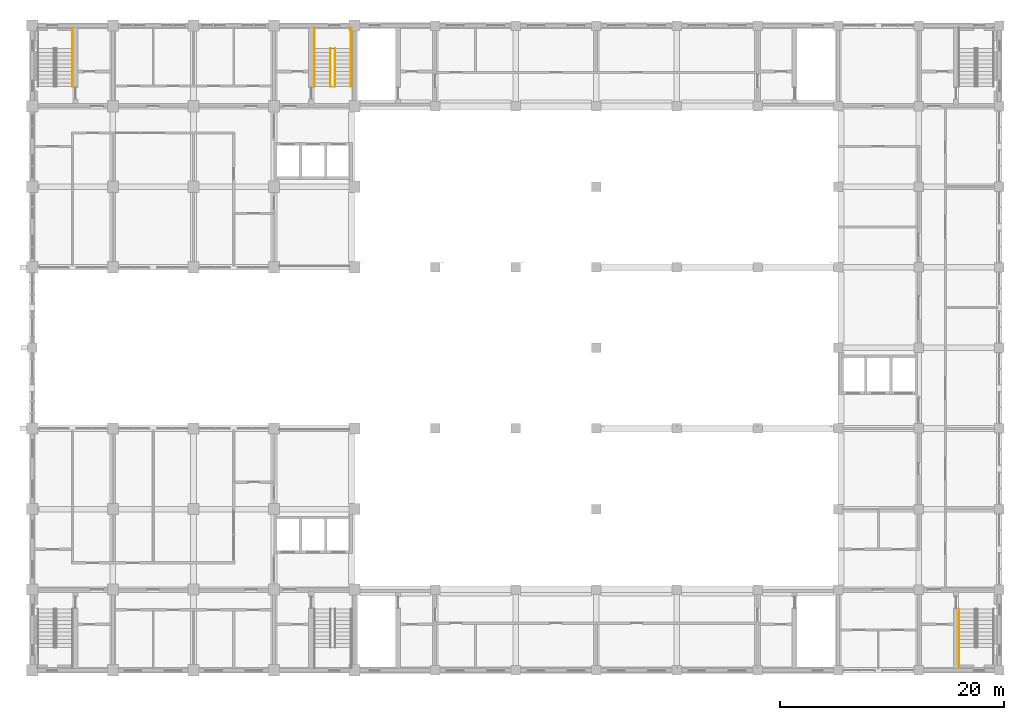
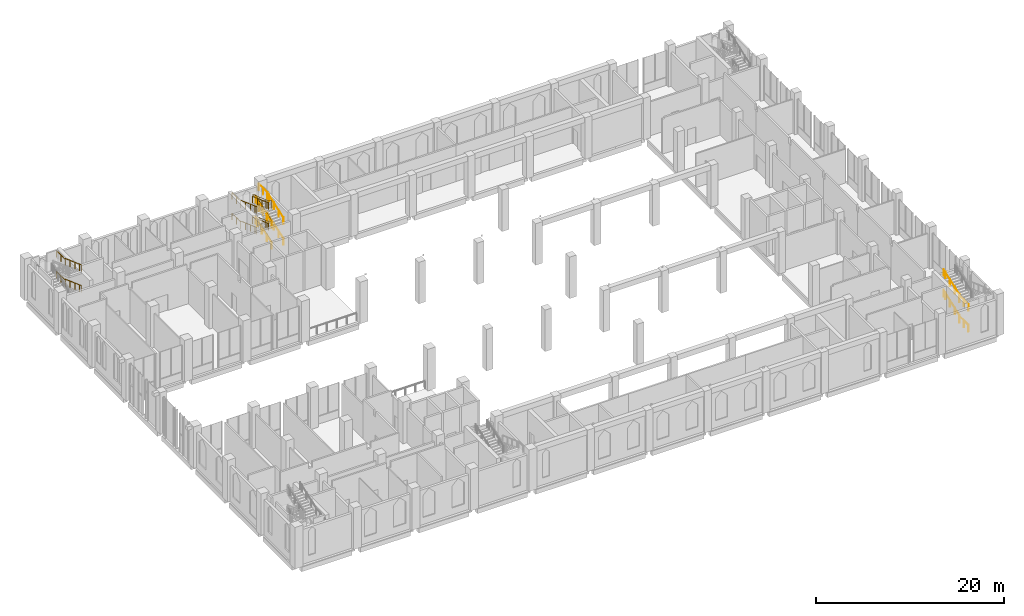
# One storey, part 46 of 48: 13 railings.
"""IFC4 building model written with IfcOpenShell, lengths in metres."""

from ifc_helpers import new_model, si_unit, direction, frame, origin, origin_2d, place, context, subcontext, project, spatial, circle, extrude, material, type_object, element, save


model = new_model("IFC4")

# Units and contexts
model_context = context("Model", 3, precision=1e-05, world=origin(), true_north=direction((0.0, 1.0)))
body_context = subcontext(model_context, "Body", "Model", "MODEL_VIEW")
ifc_project = project(units=[si_unit("LENGTHUNIT", "METRE"), si_unit("AREAUNIT", "SQUARE_METRE"), si_unit("VOLUMEUNIT", "CUBIC_METRE"), si_unit("PLANEANGLEUNIT", "RADIAN"), si_unit("MASSUNIT", "GRAM", prefix="KILO")], contexts=[model_context])

# Site, building, storey
site_placement = place(None, origin())
site = spatial("IfcSite", under=ifc_project, at=site_placement, CompositionType="ELEMENT")
building_placement = place(site_placement, origin())
building = spatial("IfcBuilding", under=site, at=building_placement, Name="Silangan Lancet Faculty of Sciences", CompositionType="ELEMENT")
storey_placement = place(building_placement, frame((0.0, 0.0, 6.0)))
storey = spatial("IfcBuildingStorey", under=building, at=storey_placement, Name="L01", CompositionType="ELEMENT", Elevation=6.0)

# Railings
ifc_material_1 = material(Name="Steel balustrade", Category="steel")
railing_type_1 = type_object("IfcRailingType", Name="STAIR GUARD 1100", PredefinedType="GUARDRAIL", material=ifc_material_1)
railing_1_placement = place(storey_placement, frame((27.0, 52.14990234375, 0.122802734375)))
element("IfcRailing", 1, at=railing_1_placement, inside=storey, type_object=railing_type_1, Name="GUARD-NT-B-L01", PredefinedType="GUARDRAIL", context=body_context, shape_type="SweptSolid", body=[
    extrude(circle(Radius=0.02392578125, at=origin_2d()), frame((0.0, 0.0, 1.076171875), z_axis=(0.0, 0.940621302891, 0.339457750756), x_axis=(-1.0, 0.0, 0.0)), (0.0, 0.0, 1.0), 2.891845703125),
    extrude(circle(Radius=0.02392578125, at=origin_2d()), frame((0.0, 2.72021484375, 2.0576171875), z_axis=(0.0, 0.940520931127, 0.339735747474), x_axis=(-1.0, 0.0, 0.0)), (0.0, 0.0, 1.0), 0.722900390625),
    extrude(circle(Radius=0.02392578125, at=origin_2d()), frame((0.0, 3.400146484375, 2.30322265625), z_axis=(-1.0, 0.0, 0.0), x_axis=(0.0, -1.0, 0.0)), (0.0, 0.0, 1.0), 0.300048828125),
    extrude(circle(Radius=0.02392578125, at=origin_2d()), frame((-0.300048828125, 3.400146484375, 2.30322265625), z_axis=(0.0, 0.0, 1.0), x_axis=(1.0, 0.0, 0.0)), (0.0, 0.0, 1.0), 0.12255859375),
    extrude(circle(Radius=0.02392578125, at=origin_2d()), frame((-0.300048828125, 3.400146484375, 2.42578125), z_axis=(0.0, -0.940584611748, 0.339559402967), x_axis=(1.0, 0.0, 0.0)), (0.0, 0.0, 1.0), 2.891845703125),
    extrude(circle(Radius=0.02392578125, at=origin_2d()), frame((-0.300048828125, 0.68017578125, 3.40771484375), z_axis=(0.0, -0.940667699839, 0.33932915949), x_axis=(1.0, 0.0, 0.0)), (0.0, 0.0, 1.0), 0.72314453125),
    extrude(circle(Radius=0.02392578125, at=origin_2d()), frame((-0.300048828125, 0.0, 3.6533203125), z_axis=(1.0, 0.0, 0.0), x_axis=(0.0, 1.0, 0.0)), (0.0, 0.0, 1.0), 0.300048828125),
    extrude(circle(Radius=0.02392578125, at=origin_2d()), frame((0.0, 0.0, 3.6533203125), z_axis=(0.0, 0.0, 1.0), x_axis=(1.0, 0.0, 0.0)), (0.0, 0.0, 1.0), 0.122802734375),
    extrude(circle(Radius=0.02392578125, at=origin_2d()), frame((0.0, 0.0, 3.77587890625), z_axis=(0.0, 0.940621302891, 0.339457750756), x_axis=(-1.0, 0.0, 0.0)), (0.0, 0.0, 1.0), 2.891845703125),
    extrude(circle(Radius=0.02392578125, at=origin_2d()), frame((0.0, 2.72021484375, 4.7578125), z_axis=(0.0, 0.940520931127, 0.339735747474), x_axis=(-1.0, 0.0, 0.0)), (0.0, 0.0, 1.0), 0.722900390625),
    extrude(circle(Radius=0.02392578125, at=origin_2d()), frame((0.0, 3.400146484375, 5.00341796875), z_axis=(-1.0, 0.0, 0.0), x_axis=(0.0, -1.0, 0.0)), (0.0, 0.0, 1.0), 0.300048828125),
    extrude(circle(Radius=0.02392578125, at=origin_2d()), frame((-0.300048828125, 3.400146484375, 5.00341796875), z_axis=(0.0, 0.0, 1.0), x_axis=(1.0, 0.0, 0.0)), (0.0, 0.0, 1.0), 0.12255859375),
    extrude(circle(Radius=0.02392578125, at=origin_2d()), frame((-0.300048828125, 3.400146484375, 5.1259765625), z_axis=(0.0, -0.940584611748, 0.339559402967), x_axis=(1.0, 0.0, 0.0)), (0.0, 0.0, 1.0), 2.891845703125),
    extrude(circle(Radius=0.02392578125, at=origin_2d()), frame((-0.300048828125, 0.68017578125, 6.10791015625), z_axis=(0.0, -0.940667699839, 0.33932915949), x_axis=(1.0, 0.0, 0.0)), (0.0, 0.0, 1.0), 0.72314453125),
    extrude(circle(Radius=0.02392578125, at=origin_2d()), frame((-0.300048828125, 0.0, 6.35302734375), z_axis=(1.0, 0.0, 0.0), x_axis=(0.0, 1.0, 0.0)), (0.0, 0.0, 1.0), 0.300048828125),
    extrude(circle(Radius=0.02099609375, at=origin_2d()), origin(), (0.0, 0.0, 1.0), 1.052001953125),
    extrude(circle(Radius=0.02099609375, at=origin_2d()), frame((0.0, 1.360107421875, 0.49072265625)), (0.0, 0.0, 1.0), 1.052001953125),
    extrude(circle(Radius=0.02099609375, at=origin_2d()), frame((0.0, 2.72021484375, 0.981689453125)), (0.0, 0.0, 1.0), 1.052001953125),
    extrude(circle(Radius=0.02099609375, at=origin_2d()), frame((0.0, 3.400146484375, 1.227294921875)), (0.0, 0.0, 1.0), 1.052001953125),
    extrude(circle(Radius=0.02099609375, at=origin_2d()), frame((-0.300048828125, 3.400146484375, 1.227294921875)), (0.0, 0.0, 1.0), 1.052001953125),
    extrude(circle(Radius=0.02099609375, at=origin_2d()), frame((-0.300048828125, 3.400146484375, 1.349853515625)), (0.0, 0.0, 1.0), 1.052001953125),
    extrude(circle(Radius=0.02099609375, at=origin_2d()), frame((-0.300048828125, 2.0400390625, 1.8408203125)), (0.0, 0.0, 1.0), 1.052001953125),
    extrude(circle(Radius=0.02099609375, at=origin_2d()), frame((-0.300048828125, 0.68017578125, 2.331787109375)), (0.0, 0.0, 1.0), 1.052001953125),
    extrude(circle(Radius=0.02099609375, at=origin_2d()), frame((-0.300048828125, 0.0, 2.5771484375)), (0.0, 0.0, 1.0), 1.052001953125),
    extrude(circle(Radius=0.02099609375, at=origin_2d()), frame((0.0, 0.0, 2.5771484375)), (0.0, 0.0, 1.0), 1.052001953125),
    extrude(circle(Radius=0.02099609375, at=origin_2d()), frame((0.0, 0.0, 2.699951171875)), (0.0, 0.0, 1.0), 1.052001953125),
    extrude(circle(Radius=0.02099609375, at=origin_2d()), frame((0.0, 1.360107421875, 3.19091796875)), (0.0, 0.0, 1.0), 1.052001953125),
    extrude(circle(Radius=0.02099609375, at=origin_2d()), frame((0.0, 2.72021484375, 3.681640625)), (0.0, 0.0, 1.0), 1.052001953125),
    extrude(circle(Radius=0.02099609375, at=origin_2d()), frame((0.0, 3.400146484375, 3.92724609375)), (0.0, 0.0, 1.0), 1.052001953125),
    extrude(circle(Radius=0.02099609375, at=origin_2d()), frame((-0.300048828125, 3.400146484375, 3.92724609375)), (0.0, 0.0, 1.0), 1.052001953125),
    extrude(circle(Radius=0.02099609375, at=origin_2d()), frame((-0.300048828125, 3.400146484375, 4.0498046875)), (0.0, 0.0, 1.0), 1.052001953125),
    extrude(circle(Radius=0.02099609375, at=origin_2d()), frame((-0.300048828125, 2.0400390625, 4.540771484375)), (0.0, 0.0, 1.0), 1.052001953125),
    extrude(circle(Radius=0.02099609375, at=origin_2d()), frame((-0.300048828125, 0.68017578125, 5.03173828125)), (0.0, 0.0, 1.0), 1.052001953125),
    extrude(circle(Radius=0.02099609375, at=origin_2d()), frame((-0.300048828125, 0.0, 5.277099609375)), (0.0, 0.0, 1.0), 1.052001953125),
    extrude(circle(Radius=0.02099609375, at=origin_2d()), frame((0.0, 0.0, 5.277099609375)), (0.0, 0.0, 1.0), 1.052001953125),
])
ifc_material_2 = material(Name="Stainless steel", Category="steel")
railing_type_2 = type_object("IfcRailingType", Name="STAIR HANDRAIL 865", PredefinedType="HANDRAIL", material=ifc_material_2)
railing_2_placement = place(storey_placement, frame((82.800048828125, 0.199951171875, 1.35009765625)))
element("IfcRailing", 2, at=railing_2_placement, inside=storey, type_object=railing_type_2, Name="HANDRAIL-EB-A-L01-O2", PredefinedType="HANDRAIL", context=body_context, shape_type="SweptSolid", body=[
    extrude(circle(Radius=0.02392578125, at=origin_2d()), frame((0.0, 0.0, 0.8408203125), z_axis=(0.0, 1.0, 0.0), x_axis=(-1.0, 0.0, 0.0)), (0.0, 0.0, 1.0), 1.85009765625),
    extrude(circle(Radius=0.02392578125, at=origin_2d()), frame((0.0, 1.85009765625, 0.8408203125), z_axis=(0.0, 0.0, 1.0), x_axis=(1.0, 0.0, 0.0)), (0.0, 0.0, 1.0), 0.12255859375),
    extrude(circle(Radius=0.02392578125, at=origin_2d()), frame((0.0, 1.85009765625, 0.96337890625), z_axis=(0.0, 0.94060583065, 0.339500620541), x_axis=(-1.0, 0.0, 0.0)), (0.0, 0.0, 1.0), 1.08447265625),
    extrude(circle(Radius=0.02392578125, at=origin_2d()), frame((0.0, 2.8701171875, 1.33154296875), z_axis=(0.0, 0.94060583065, 0.339500620541), x_axis=(-1.0, 0.0, 0.0)), (0.0, 0.0, 1.0), 1.08447265625),
    extrude(circle(Radius=0.02392578125, at=origin_2d()), frame((0.0, 3.89013671875, 1.69970703125), z_axis=(0.0, 0.940533921917, 0.339699781755), x_axis=(-1.0, 0.0, 0.0)), (0.0, 0.0, 1.0), 1.08447265625),
    extrude(circle(Radius=0.02392578125, at=origin_2d()), frame((0.0, 4.91015625, 2.068359375), z_axis=(0.0, 0.940697737464, 0.339245879459), x_axis=(-1.0, 0.0, 0.0)), (0.0, 0.0, 1.0), 0.361328125),
    extrude(circle(Radius=0.02099609375, at=origin_2d()), origin(), (0.0, 0.0, 1.0), 0.81689453125),
    extrude(circle(Radius=0.02099609375, at=origin_2d()), frame((0.0, 0.925048828125, 0.0)), (0.0, 0.0, 1.0), 0.81689453125),
    extrude(circle(Radius=0.02099609375, at=origin_2d()), frame((0.0, 1.85009765625, 0.0)), (0.0, 0.0, 1.0), 0.81689453125),
    extrude(circle(Radius=0.02099609375, at=origin_2d()), frame((0.0, 1.85009765625, 0.12255859375)), (0.0, 0.0, 1.0), 0.81689453125),
    extrude(circle(Radius=0.02099609375, at=origin_2d()), frame((0.0, 2.8701171875, 0.49072265625)), (0.0, 0.0, 1.0), 0.81689453125),
    extrude(circle(Radius=0.02099609375, at=origin_2d()), frame((0.0, 3.89013671875, 0.85888671875)), (0.0, 0.0, 1.0), 0.81689453125),
    extrude(circle(Radius=0.02099609375, at=origin_2d()), frame((0.0, 4.91015625, 1.227294921875)), (0.0, 0.0, 1.0), 0.81689453125),
    extrude(circle(Radius=0.02099609375, at=origin_2d()), frame((0.0, 5.25, 1.349853515625)), (0.0, 0.0, 1.0), 0.81689453125),
])
railing_3_placement = place(storey_placement, frame((82.800048828125, 0.199951171875, 4.050048828125)))
element("IfcRailing", 3, at=railing_3_placement, inside=storey, type_object=railing_type_2, Name="HANDRAIL-EB-A-L01-O4", PredefinedType="HANDRAIL", context=body_context, shape_type="SweptSolid", body=[
    extrude(circle(Radius=0.02392578125, at=origin_2d()), frame((0.0, 0.0, 0.8408203125), z_axis=(0.0, 1.0, 0.0), x_axis=(-1.0, 0.0, 0.0)), (0.0, 0.0, 1.0), 1.85009765625),
    extrude(circle(Radius=0.02392578125, at=origin_2d()), frame((0.0, 1.85009765625, 0.8408203125), z_axis=(0.0, 0.0, 1.0), x_axis=(1.0, 0.0, 0.0)), (0.0, 0.0, 1.0), 0.12255859375),
    extrude(circle(Radius=0.02392578125, at=origin_2d()), frame((0.0, 1.85009765625, 0.96337890625), z_axis=(0.0, 0.940533921917, 0.339699781755), x_axis=(-1.0, 0.0, 0.0)), (0.0, 0.0, 1.0), 1.08447265625),
    extrude(circle(Radius=0.02392578125, at=origin_2d()), frame((0.0, 2.8701171875, 1.33203125), z_axis=(0.0, 0.94060583065, 0.339500620541), x_axis=(-1.0, 0.0, 0.0)), (0.0, 0.0, 1.0), 1.08447265625),
    extrude(circle(Radius=0.02392578125, at=origin_2d()), frame((0.0, 3.89013671875, 1.7001953125), z_axis=(0.0, 0.94060583065, 0.339500620541), x_axis=(-1.0, 0.0, 0.0)), (0.0, 0.0, 1.0), 1.08447265625),
    extrude(circle(Radius=0.02392578125, at=origin_2d()), frame((0.0, 4.91015625, 2.068359375), z_axis=(0.0, 0.940697737464, 0.339245879459), x_axis=(-1.0, 0.0, 0.0)), (0.0, 0.0, 1.0), 0.361328125),
    extrude(circle(Radius=0.02099609375, at=origin_2d()), origin(), (0.0, 0.0, 1.0), 0.81689453125),
    extrude(circle(Radius=0.02099609375, at=origin_2d()), frame((0.0, 0.925048828125, 0.0)), (0.0, 0.0, 1.0), 0.81689453125),
    extrude(circle(Radius=0.02099609375, at=origin_2d()), frame((0.0, 1.85009765625, 0.0)), (0.0, 0.0, 1.0), 0.81689453125),
    extrude(circle(Radius=0.02099609375, at=origin_2d()), frame((0.0, 1.85009765625, 0.12255859375)), (0.0, 0.0, 1.0), 0.81689453125),
    extrude(circle(Radius=0.02099609375, at=origin_2d()), frame((0.0, 2.8701171875, 0.490966796875)), (0.0, 0.0, 1.0), 0.81689453125),
    extrude(circle(Radius=0.02099609375, at=origin_2d()), frame((0.0, 3.89013671875, 0.859130859375)), (0.0, 0.0, 1.0), 0.81689453125),
    extrude(circle(Radius=0.02099609375, at=origin_2d()), frame((0.0, 4.91015625, 1.227294921875)), (0.0, 0.0, 1.0), 0.81689453125),
    extrude(circle(Radius=0.02099609375, at=origin_2d()), frame((0.0, 5.25, 1.349853515625)), (0.0, 0.0, 1.0), 0.81689453125),
])
railing_4_placement = place(storey_placement, frame((3.60009765625, 57.39990234375, 1.35009765625)))
element("IfcRailing", 4, at=railing_4_placement, inside=storey, type_object=railing_type_2, Name="HANDRAIL-NT-A-L01-O2", PredefinedType="HANDRAIL", context=body_context, shape_type="SweptSolid", body=[
    extrude(circle(Radius=0.02392578125, at=origin_2d()), frame((0.0, 0.0, 0.8408203125), z_axis=(0.0, -1.0, 0.0), x_axis=(1.0, 0.0, 0.0)), (0.0, 0.0, 1.0), 1.849853515625),
    extrude(circle(Radius=0.02392578125, at=origin_2d()), frame((0.0, -1.849853515625, 0.8408203125), z_axis=(0.0, 0.0, 1.0), x_axis=(1.0, 0.0, 0.0)), (0.0, 0.0, 1.0), 0.12255859375),
    extrude(circle(Radius=0.02392578125, at=origin_2d()), frame((0.0, -1.849853515625, 0.96337890625), z_axis=(0.0, -0.94060583065, 0.339500620541), x_axis=(1.0, 0.0, 0.0)), (0.0, 0.0, 1.0), 1.08447265625),
    extrude(circle(Radius=0.02392578125, at=origin_2d()), frame((0.0, -2.869873046875, 1.33154296875), z_axis=(0.0, -0.94060583065, 0.339500620541), x_axis=(1.0, 0.0, 0.0)), (0.0, 0.0, 1.0), 1.08447265625),
    extrude(circle(Radius=0.02392578125, at=origin_2d()), frame((0.0, -3.889892578125, 1.69970703125), z_axis=(0.0, -0.940533921917, 0.339699781755), x_axis=(1.0, 0.0, 0.0)), (0.0, 0.0, 1.0), 1.08447265625),
    extrude(circle(Radius=0.02392578125, at=origin_2d()), frame((0.0, -4.909912109375, 2.068359375), z_axis=(0.0, -0.940775438362, 0.339030344622), x_axis=(1.0, 0.0, 0.0)), (0.0, 0.0, 1.0), 0.361572265625),
    extrude(circle(Radius=0.02099609375, at=origin_2d()), origin(), (0.0, 0.0, 1.0), 0.81689453125),
    extrude(circle(Radius=0.02099609375, at=origin_2d()), frame((0.0, -0.9248046875, 0.0)), (0.0, 0.0, 1.0), 0.81689453125),
    extrude(circle(Radius=0.02099609375, at=origin_2d()), frame((0.0, -1.849853515625, 0.0)), (0.0, 0.0, 1.0), 0.81689453125),
    extrude(circle(Radius=0.02099609375, at=origin_2d()), frame((0.0, -1.849853515625, 0.12255859375)), (0.0, 0.0, 1.0), 0.81689453125),
    extrude(circle(Radius=0.02099609375, at=origin_2d()), frame((0.0, -2.869873046875, 0.49072265625)), (0.0, 0.0, 1.0), 0.81689453125),
    extrude(circle(Radius=0.02099609375, at=origin_2d()), frame((0.0, -3.889892578125, 0.85888671875)), (0.0, 0.0, 1.0), 0.81689453125),
    extrude(circle(Radius=0.02099609375, at=origin_2d()), frame((0.0, -4.909912109375, 1.227294921875)), (0.0, 0.0, 1.0), 0.81689453125),
    extrude(circle(Radius=0.02099609375, at=origin_2d()), frame((0.0, -5.25, 1.349853515625)), (0.0, 0.0, 1.0), 0.81689453125),
])
railing_5_placement = place(storey_placement, frame((3.60009765625, 57.39990234375, 4.050048828125)))
element("IfcRailing", 5, at=railing_5_placement, inside=storey, type_object=railing_type_2, Name="HANDRAIL-NT-A-L01-O4", PredefinedType="HANDRAIL", context=body_context, shape_type="SweptSolid", body=[
    extrude(circle(Radius=0.02392578125, at=origin_2d()), frame((0.0, 0.0, 0.8408203125), z_axis=(0.0, -1.0, 0.0), x_axis=(1.0, 0.0, 0.0)), (0.0, 0.0, 1.0), 1.849853515625),
    extrude(circle(Radius=0.02392578125, at=origin_2d()), frame((0.0, -1.849853515625, 0.8408203125), z_axis=(0.0, 0.0, 1.0), x_axis=(1.0, 0.0, 0.0)), (0.0, 0.0, 1.0), 0.12255859375),
    extrude(circle(Radius=0.02392578125, at=origin_2d()), frame((0.0, -1.849853515625, 0.96337890625), z_axis=(0.0, -0.940533921917, 0.339699781755), x_axis=(1.0, 0.0, 0.0)), (0.0, 0.0, 1.0), 1.08447265625),
    extrude(circle(Radius=0.02392578125, at=origin_2d()), frame((0.0, -2.869873046875, 1.33203125), z_axis=(0.0, -0.94060583065, 0.339500620541), x_axis=(1.0, 0.0, 0.0)), (0.0, 0.0, 1.0), 1.08447265625),
    extrude(circle(Radius=0.02392578125, at=origin_2d()), frame((0.0, -3.889892578125, 1.7001953125), z_axis=(0.0, -0.94060583065, 0.339500620541), x_axis=(1.0, 0.0, 0.0)), (0.0, 0.0, 1.0), 1.08447265625),
    extrude(circle(Radius=0.02392578125, at=origin_2d()), frame((0.0, -4.909912109375, 2.068359375), z_axis=(0.0, -0.940775438362, 0.339030344622), x_axis=(1.0, 0.0, 0.0)), (0.0, 0.0, 1.0), 0.361572265625),
    extrude(circle(Radius=0.02099609375, at=origin_2d()), origin(), (0.0, 0.0, 1.0), 0.81689453125),
    extrude(circle(Radius=0.02099609375, at=origin_2d()), frame((0.0, -0.9248046875, 0.0)), (0.0, 0.0, 1.0), 0.81689453125),
    extrude(circle(Radius=0.02099609375, at=origin_2d()), frame((0.0, -1.849853515625, 0.0)), (0.0, 0.0, 1.0), 0.81689453125),
    extrude(circle(Radius=0.02099609375, at=origin_2d()), frame((0.0, -1.849853515625, 0.12255859375)), (0.0, 0.0, 1.0), 0.81689453125),
    extrude(circle(Radius=0.02099609375, at=origin_2d()), frame((0.0, -2.869873046875, 0.490966796875)), (0.0, 0.0, 1.0), 0.81689453125),
    extrude(circle(Radius=0.02099609375, at=origin_2d()), frame((0.0, -3.889892578125, 0.859130859375)), (0.0, 0.0, 1.0), 0.81689453125),
    extrude(circle(Radius=0.02099609375, at=origin_2d()), frame((0.0, -4.909912109375, 1.227294921875)), (0.0, 0.0, 1.0), 0.81689453125),
    extrude(circle(Radius=0.02099609375, at=origin_2d()), frame((0.0, -5.25, 1.349853515625)), (0.0, 0.0, 1.0), 0.81689453125),
])
railing_6_placement = place(storey_placement, frame((28.5, 52.14990234375, 0.122802734375)))
element("IfcRailing", 6, at=railing_6_placement, inside=storey, type_object=railing_type_2, Name="HANDRAIL-NT-B-L01-O1", PredefinedType="HANDRAIL", context=body_context, shape_type="SweptSolid", body=[
    extrude(circle(Radius=0.02392578125, at=origin_2d()), frame((0.0, 0.0, 0.8408203125), z_axis=(0.0, 0.94060583065, 0.339500620541), x_axis=(-1.0, 0.0, 0.0)), (0.0, 0.0, 1.0), 1.08447265625),
    extrude(circle(Radius=0.02392578125, at=origin_2d()), frame((0.0, 1.02001953125, 1.208984375), z_axis=(0.0, 0.94060583065, 0.339500620541), x_axis=(-1.0, 0.0, 0.0)), (0.0, 0.0, 1.0), 1.08447265625),
    extrude(circle(Radius=0.02392578125, at=origin_2d()), frame((0.0, 2.0400390625, 1.5771484375), z_axis=(0.0, 0.94060583065, 0.339500620541), x_axis=(-1.0, 0.0, 0.0)), (0.0, 0.0, 1.0), 1.08447265625),
    extrude(circle(Radius=0.02392578125, at=origin_2d()), frame((0.0, 3.06005859375, 1.9453125), z_axis=(0.0, 0.940559891121, 0.339627871668), x_axis=(-1.0, 0.0, 0.0)), (0.0, 0.0, 1.0), 0.361572265625),
    extrude(circle(Radius=0.02392578125, at=origin_2d()), frame((0.0, 3.400146484375, 2.068359375), z_axis=(0.0, 1.0, 0.0), x_axis=(-1.0, 0.0, 0.0)), (0.0, 0.0, 1.0), 1.849853515625),
    extrude(circle(Radius=0.02099609375, at=origin_2d()), origin(), (0.0, 0.0, 1.0), 0.81689453125),
    extrude(circle(Radius=0.02099609375, at=origin_2d()), frame((0.0, 1.02001953125, 0.3681640625)), (0.0, 0.0, 1.0), 0.81689453125),
    extrude(circle(Radius=0.02099609375, at=origin_2d()), frame((0.0, 2.0400390625, 0.736328125)), (0.0, 0.0, 1.0), 0.81689453125),
    extrude(circle(Radius=0.02099609375, at=origin_2d()), frame((0.0, 3.06005859375, 1.1044921875)), (0.0, 0.0, 1.0), 0.81689453125),
    extrude(circle(Radius=0.02099609375, at=origin_2d()), frame((0.0, 3.400146484375, 1.227294921875)), (0.0, 0.0, 1.0), 0.81689453125),
    extrude(circle(Radius=0.02099609375, at=origin_2d()), frame((0.0, 4.3251953125, 1.227294921875)), (0.0, 0.0, 1.0), 0.81689453125),
    extrude(circle(Radius=0.02099609375, at=origin_2d()), frame((0.0, 5.25, 1.227294921875)), (0.0, 0.0, 1.0), 0.81689453125),
])
railing_7_placement = place(storey_placement, frame((27.050048828125, 52.14990234375, 0.122802734375)))
element("IfcRailing", 7, at=railing_7_placement, inside=storey, type_object=railing_type_2, Name="HANDRAIL-NT-B-L01-I1", PredefinedType="HANDRAIL", context=body_context, shape_type="SweptSolid", body=[
    extrude(circle(Radius=0.02392578125, at=origin_2d()), frame((0.0, 0.0, 0.8408203125), z_axis=(0.0, 0.94060583065, 0.339500620541), x_axis=(-1.0, 0.0, 0.0)), (0.0, 0.0, 1.0), 1.08447265625),
    extrude(circle(Radius=0.02392578125, at=origin_2d()), frame((0.0, 1.02001953125, 1.208984375), z_axis=(0.0, 0.94060583065, 0.339500620541), x_axis=(-1.0, 0.0, 0.0)), (0.0, 0.0, 1.0), 1.08447265625),
    extrude(circle(Radius=0.02392578125, at=origin_2d()), frame((0.0, 2.0400390625, 1.5771484375), z_axis=(0.0, 0.94060583065, 0.339500620541), x_axis=(-1.0, 0.0, 0.0)), (0.0, 0.0, 1.0), 1.08447265625),
    extrude(circle(Radius=0.02392578125, at=origin_2d()), frame((0.0, 3.06005859375, 1.9453125), z_axis=(0.0, 0.940559891121, 0.339627871668), x_axis=(-1.0, 0.0, 0.0)), (0.0, 0.0, 1.0), 0.361572265625),
    extrude(circle(Radius=0.02099609375, at=origin_2d()), origin(), (0.0, 0.0, 1.0), 0.81689453125),
    extrude(circle(Radius=0.02099609375, at=origin_2d()), frame((0.0, 1.02001953125, 0.3681640625)), (0.0, 0.0, 1.0), 0.81689453125),
    extrude(circle(Radius=0.02099609375, at=origin_2d()), frame((0.0, 2.0400390625, 0.736328125)), (0.0, 0.0, 1.0), 0.81689453125),
    extrude(circle(Radius=0.02099609375, at=origin_2d()), frame((0.0, 3.06005859375, 1.1044921875)), (0.0, 0.0, 1.0), 0.81689453125),
    extrude(circle(Radius=0.02099609375, at=origin_2d()), frame((0.0, 3.400146484375, 1.227294921875)), (0.0, 0.0, 1.0), 0.81689453125),
])
railing_8_placement = place(storey_placement, frame((25.199951171875, 57.39990234375, 1.35009765625)))
element("IfcRailing", 8, at=railing_8_placement, inside=storey, type_object=railing_type_2, Name="HANDRAIL-NT-B-L01-O2", PredefinedType="HANDRAIL", context=body_context, shape_type="SweptSolid", body=[
    extrude(circle(Radius=0.02392578125, at=origin_2d()), frame((0.0, 0.0, 0.8408203125), z_axis=(0.0, -1.0, 0.0), x_axis=(1.0, 0.0, 0.0)), (0.0, 0.0, 1.0), 1.849853515625),
    extrude(circle(Radius=0.02392578125, at=origin_2d()), frame((0.0, -1.849853515625, 0.8408203125), z_axis=(0.0, 0.0, 1.0), x_axis=(1.0, 0.0, 0.0)), (0.0, 0.0, 1.0), 0.12255859375),
    extrude(circle(Radius=0.02392578125, at=origin_2d()), frame((0.0, -1.849853515625, 0.96337890625), z_axis=(0.0, -0.94060583065, 0.339500620541), x_axis=(1.0, 0.0, 0.0)), (0.0, 0.0, 1.0), 1.08447265625),
    extrude(circle(Radius=0.02392578125, at=origin_2d()), frame((0.0, -2.869873046875, 1.33154296875), z_axis=(0.0, -0.94060583065, 0.339500620541), x_axis=(1.0, 0.0, 0.0)), (0.0, 0.0, 1.0), 1.08447265625),
    extrude(circle(Radius=0.02392578125, at=origin_2d()), frame((0.0, -3.889892578125, 1.69970703125), z_axis=(0.0, -0.940533921917, 0.339699781755), x_axis=(1.0, 0.0, 0.0)), (0.0, 0.0, 1.0), 1.08447265625),
    extrude(circle(Radius=0.02392578125, at=origin_2d()), frame((0.0, -4.909912109375, 2.068359375), z_axis=(0.0, -0.940775438362, 0.339030344622), x_axis=(1.0, 0.0, 0.0)), (0.0, 0.0, 1.0), 0.361572265625),
    extrude(circle(Radius=0.02099609375, at=origin_2d()), origin(), (0.0, 0.0, 1.0), 0.81689453125),
    extrude(circle(Radius=0.02099609375, at=origin_2d()), frame((0.0, -0.9248046875, 0.0)), (0.0, 0.0, 1.0), 0.81689453125),
    extrude(circle(Radius=0.02099609375, at=origin_2d()), frame((0.0, -1.849853515625, 0.0)), (0.0, 0.0, 1.0), 0.81689453125),
    extrude(circle(Radius=0.02099609375, at=origin_2d()), frame((0.0, -1.849853515625, 0.12255859375)), (0.0, 0.0, 1.0), 0.81689453125),
    extrude(circle(Radius=0.02099609375, at=origin_2d()), frame((0.0, -2.869873046875, 0.49072265625)), (0.0, 0.0, 1.0), 0.81689453125),
    extrude(circle(Radius=0.02099609375, at=origin_2d()), frame((0.0, -3.889892578125, 0.85888671875)), (0.0, 0.0, 1.0), 0.81689453125),
    extrude(circle(Radius=0.02099609375, at=origin_2d()), frame((0.0, -4.909912109375, 1.227294921875)), (0.0, 0.0, 1.0), 0.81689453125),
    extrude(circle(Radius=0.02099609375, at=origin_2d()), frame((0.0, -5.25, 1.349853515625)), (0.0, 0.0, 1.0), 0.81689453125),
])
railing_9_placement = place(storey_placement, frame((26.64990234375, 55.550048828125, 1.47265625)))
element("IfcRailing", 9, at=railing_9_placement, inside=storey, type_object=railing_type_2, Name="HANDRAIL-NT-B-L01-I2", PredefinedType="HANDRAIL", context=body_context, shape_type="SweptSolid", body=[
    extrude(circle(Radius=0.02392578125, at=origin_2d()), frame((0.0, 0.0, 0.8408203125), z_axis=(0.0, -0.94060583065, 0.339500620541), x_axis=(1.0, 0.0, 0.0)), (0.0, 0.0, 1.0), 1.08447265625),
    extrude(circle(Radius=0.02392578125, at=origin_2d()), frame((0.0, -1.02001953125, 1.208984375), z_axis=(0.0, -0.94060583065, 0.339500620541), x_axis=(1.0, 0.0, 0.0)), (0.0, 0.0, 1.0), 1.08447265625),
    extrude(circle(Radius=0.02392578125, at=origin_2d()), frame((0.0, -2.0400390625, 1.5771484375), z_axis=(0.0, -0.940533921917, 0.339699781755), x_axis=(1.0, 0.0, 0.0)), (0.0, 0.0, 1.0), 1.08447265625),
    extrude(circle(Radius=0.02392578125, at=origin_2d()), frame((0.0, -3.06005859375, 1.94580078125), z_axis=(0.0, -0.940775438362, 0.339030344622), x_axis=(1.0, 0.0, 0.0)), (0.0, 0.0, 1.0), 0.361572265625),
    extrude(circle(Radius=0.02099609375, at=origin_2d()), origin(), (0.0, 0.0, 1.0), 0.81689453125),
    extrude(circle(Radius=0.02099609375, at=origin_2d()), frame((0.0, -1.02001953125, 0.3681640625)), (0.0, 0.0, 1.0), 0.81689453125),
    extrude(circle(Radius=0.02099609375, at=origin_2d()), frame((0.0, -2.0400390625, 0.736328125)), (0.0, 0.0, 1.0), 0.81689453125),
    extrude(circle(Radius=0.02099609375, at=origin_2d()), frame((0.0, -3.06005859375, 1.104736328125)), (0.0, 0.0, 1.0), 0.81689453125),
    extrude(circle(Radius=0.02099609375, at=origin_2d()), frame((0.0, -3.400146484375, 1.227294921875)), (0.0, 0.0, 1.0), 0.81689453125),
])
railing_10_placement = place(storey_placement, frame((28.5, 52.14990234375, 2.82275390625)))
element("IfcRailing", 10, at=railing_10_placement, inside=storey, type_object=railing_type_2, Name="HANDRAIL-NT-B-L01-O3", PredefinedType="HANDRAIL", context=body_context, shape_type="SweptSolid", body=[
    extrude(circle(Radius=0.02392578125, at=origin_2d()), frame((0.0, 0.0, 0.8408203125), z_axis=(0.0, 0.94060583065, 0.339500620541), x_axis=(-1.0, 0.0, 0.0)), (0.0, 0.0, 1.0), 1.08447265625),
    extrude(circle(Radius=0.02392578125, at=origin_2d()), frame((0.0, 1.02001953125, 1.208984375), z_axis=(0.0, 0.94060583065, 0.339500620541), x_axis=(-1.0, 0.0, 0.0)), (0.0, 0.0, 1.0), 1.08447265625),
    extrude(circle(Radius=0.02392578125, at=origin_2d()), frame((0.0, 2.0400390625, 1.5771484375), z_axis=(0.0, 0.94060583065, 0.339500620541), x_axis=(-1.0, 0.0, 0.0)), (0.0, 0.0, 1.0), 1.08447265625),
    extrude(circle(Radius=0.02392578125, at=origin_2d()), frame((0.0, 3.06005859375, 1.9453125), z_axis=(0.0, 0.940559891121, 0.339627871668), x_axis=(-1.0, 0.0, 0.0)), (0.0, 0.0, 1.0), 0.361572265625),
    extrude(circle(Radius=0.02392578125, at=origin_2d()), frame((0.0, 3.400146484375, 2.068359375), z_axis=(0.0, 1.0, 0.0), x_axis=(-1.0, 0.0, 0.0)), (0.0, 0.0, 1.0), 1.849853515625),
    extrude(circle(Radius=0.02099609375, at=origin_2d()), origin(), (0.0, 0.0, 1.0), 0.81689453125),
    extrude(circle(Radius=0.02099609375, at=origin_2d()), frame((0.0, 1.02001953125, 0.3681640625)), (0.0, 0.0, 1.0), 0.81689453125),
    extrude(circle(Radius=0.02099609375, at=origin_2d()), frame((0.0, 2.0400390625, 0.736328125)), (0.0, 0.0, 1.0), 0.81689453125),
    extrude(circle(Radius=0.02099609375, at=origin_2d()), frame((0.0, 3.06005859375, 1.1044921875)), (0.0, 0.0, 1.0), 0.81689453125),
    extrude(circle(Radius=0.02099609375, at=origin_2d()), frame((0.0, 3.400146484375, 1.227294921875)), (0.0, 0.0, 1.0), 0.81689453125),
    extrude(circle(Radius=0.02099609375, at=origin_2d()), frame((0.0, 4.3251953125, 1.227294921875)), (0.0, 0.0, 1.0), 0.81689453125),
    extrude(circle(Radius=0.02099609375, at=origin_2d()), frame((0.0, 5.25, 1.227294921875)), (0.0, 0.0, 1.0), 0.81689453125),
])
railing_11_placement = place(storey_placement, frame((27.050048828125, 52.14990234375, 2.82275390625)))
element("IfcRailing", 11, at=railing_11_placement, inside=storey, type_object=railing_type_2, Name="HANDRAIL-NT-B-L01-I3", PredefinedType="HANDRAIL", context=body_context, shape_type="SweptSolid", body=[
    extrude(circle(Radius=0.02392578125, at=origin_2d()), frame((0.0, 0.0, 0.8408203125), z_axis=(0.0, 0.94060583065, 0.339500620541), x_axis=(-1.0, 0.0, 0.0)), (0.0, 0.0, 1.0), 1.08447265625),
    extrude(circle(Radius=0.02392578125, at=origin_2d()), frame((0.0, 1.02001953125, 1.208984375), z_axis=(0.0, 0.94060583065, 0.339500620541), x_axis=(-1.0, 0.0, 0.0)), (0.0, 0.0, 1.0), 1.08447265625),
    extrude(circle(Radius=0.02392578125, at=origin_2d()), frame((0.0, 2.0400390625, 1.5771484375), z_axis=(0.0, 0.94060583065, 0.339500620541), x_axis=(-1.0, 0.0, 0.0)), (0.0, 0.0, 1.0), 1.08447265625),
    extrude(circle(Radius=0.02392578125, at=origin_2d()), frame((0.0, 3.06005859375, 1.9453125), z_axis=(0.0, 0.940559891121, 0.339627871668), x_axis=(-1.0, 0.0, 0.0)), (0.0, 0.0, 1.0), 0.361572265625),
    extrude(circle(Radius=0.02099609375, at=origin_2d()), origin(), (0.0, 0.0, 1.0), 0.81689453125),
    extrude(circle(Radius=0.02099609375, at=origin_2d()), frame((0.0, 1.02001953125, 0.3681640625)), (0.0, 0.0, 1.0), 0.81689453125),
    extrude(circle(Radius=0.02099609375, at=origin_2d()), frame((0.0, 2.0400390625, 0.736328125)), (0.0, 0.0, 1.0), 0.81689453125),
    extrude(circle(Radius=0.02099609375, at=origin_2d()), frame((0.0, 3.06005859375, 1.1044921875)), (0.0, 0.0, 1.0), 0.81689453125),
    extrude(circle(Radius=0.02099609375, at=origin_2d()), frame((0.0, 3.400146484375, 1.227294921875)), (0.0, 0.0, 1.0), 0.81689453125),
])
railing_12_placement = place(storey_placement, frame((25.199951171875, 57.39990234375, 4.050048828125)))
element("IfcRailing", 12, at=railing_12_placement, inside=storey, type_object=railing_type_2, Name="HANDRAIL-NT-B-L01-O4", PredefinedType="HANDRAIL", context=body_context, shape_type="SweptSolid", body=[
    extrude(circle(Radius=0.02392578125, at=origin_2d()), frame((0.0, 0.0, 0.8408203125), z_axis=(0.0, -1.0, 0.0), x_axis=(1.0, 0.0, 0.0)), (0.0, 0.0, 1.0), 1.849853515625),
    extrude(circle(Radius=0.02392578125, at=origin_2d()), frame((0.0, -1.849853515625, 0.8408203125), z_axis=(0.0, 0.0, 1.0), x_axis=(1.0, 0.0, 0.0)), (0.0, 0.0, 1.0), 0.12255859375),
    extrude(circle(Radius=0.02392578125, at=origin_2d()), frame((0.0, -1.849853515625, 0.96337890625), z_axis=(0.0, -0.940533921917, 0.339699781755), x_axis=(1.0, 0.0, 0.0)), (0.0, 0.0, 1.0), 1.08447265625),
    extrude(circle(Radius=0.02392578125, at=origin_2d()), frame((0.0, -2.869873046875, 1.33203125), z_axis=(0.0, -0.94060583065, 0.339500620541), x_axis=(1.0, 0.0, 0.0)), (0.0, 0.0, 1.0), 1.08447265625),
    extrude(circle(Radius=0.02392578125, at=origin_2d()), frame((0.0, -3.889892578125, 1.7001953125), z_axis=(0.0, -0.94060583065, 0.339500620541), x_axis=(1.0, 0.0, 0.0)), (0.0, 0.0, 1.0), 1.08447265625),
    extrude(circle(Radius=0.02392578125, at=origin_2d()), frame((0.0, -4.909912109375, 2.068359375), z_axis=(0.0, -0.940775438362, 0.339030344622), x_axis=(1.0, 0.0, 0.0)), (0.0, 0.0, 1.0), 0.361572265625),
    extrude(circle(Radius=0.02099609375, at=origin_2d()), origin(), (0.0, 0.0, 1.0), 0.81689453125),
    extrude(circle(Radius=0.02099609375, at=origin_2d()), frame((0.0, -0.9248046875, 0.0)), (0.0, 0.0, 1.0), 0.81689453125),
    extrude(circle(Radius=0.02099609375, at=origin_2d()), frame((0.0, -1.849853515625, 0.0)), (0.0, 0.0, 1.0), 0.81689453125),
    extrude(circle(Radius=0.02099609375, at=origin_2d()), frame((0.0, -1.849853515625, 0.12255859375)), (0.0, 0.0, 1.0), 0.81689453125),
    extrude(circle(Radius=0.02099609375, at=origin_2d()), frame((0.0, -2.869873046875, 0.490966796875)), (0.0, 0.0, 1.0), 0.81689453125),
    extrude(circle(Radius=0.02099609375, at=origin_2d()), frame((0.0, -3.889892578125, 0.859130859375)), (0.0, 0.0, 1.0), 0.81689453125),
    extrude(circle(Radius=0.02099609375, at=origin_2d()), frame((0.0, -4.909912109375, 1.227294921875)), (0.0, 0.0, 1.0), 0.81689453125),
    extrude(circle(Radius=0.02099609375, at=origin_2d()), frame((0.0, -5.25, 1.349853515625)), (0.0, 0.0, 1.0), 0.81689453125),
])
railing_13_placement = place(storey_placement, frame((26.64990234375, 55.550048828125, 4.172607421875)))
element("IfcRailing", 13, at=railing_13_placement, inside=storey, type_object=railing_type_2, Name="HANDRAIL-NT-B-L01-I4", PredefinedType="HANDRAIL", context=body_context, shape_type="SweptSolid", body=[
    extrude(circle(Radius=0.02392578125, at=origin_2d()), frame((0.0, 0.0, 0.8408203125), z_axis=(0.0, -0.940533921917, 0.339699781755), x_axis=(1.0, 0.0, 0.0)), (0.0, 0.0, 1.0), 1.08447265625),
    extrude(circle(Radius=0.02392578125, at=origin_2d()), frame((0.0, -1.02001953125, 1.20947265625), z_axis=(0.0, -0.94060583065, 0.339500620541), x_axis=(1.0, 0.0, 0.0)), (0.0, 0.0, 1.0), 1.08447265625),
    extrude(circle(Radius=0.02392578125, at=origin_2d()), frame((0.0, -2.0400390625, 1.57763671875), z_axis=(0.0, -0.94060583065, 0.339500620541), x_axis=(1.0, 0.0, 0.0)), (0.0, 0.0, 1.0), 1.08447265625),
    extrude(circle(Radius=0.02392578125, at=origin_2d()), frame((0.0, -3.06005859375, 1.94580078125), z_axis=(0.0, -0.940775438362, 0.339030344622), x_axis=(1.0, 0.0, 0.0)), (0.0, 0.0, 1.0), 0.361572265625),
    extrude(circle(Radius=0.02099609375, at=origin_2d()), origin(), (0.0, 0.0, 1.0), 0.81689453125),
    extrude(circle(Radius=0.02099609375, at=origin_2d()), frame((0.0, -1.02001953125, 0.368408203125)), (0.0, 0.0, 1.0), 0.81689453125),
    extrude(circle(Radius=0.02099609375, at=origin_2d()), frame((0.0, -2.0400390625, 0.736572265625)), (0.0, 0.0, 1.0), 0.81689453125),
    extrude(circle(Radius=0.02099609375, at=origin_2d()), frame((0.0, -3.06005859375, 1.104736328125)), (0.0, 0.0, 1.0), 0.81689453125),
    extrude(circle(Radius=0.02099609375, at=origin_2d()), frame((0.0, -3.400146484375, 1.227294921875)), (0.0, 0.0, 1.0), 0.81689453125),
])

save(model, "model.ifc")
